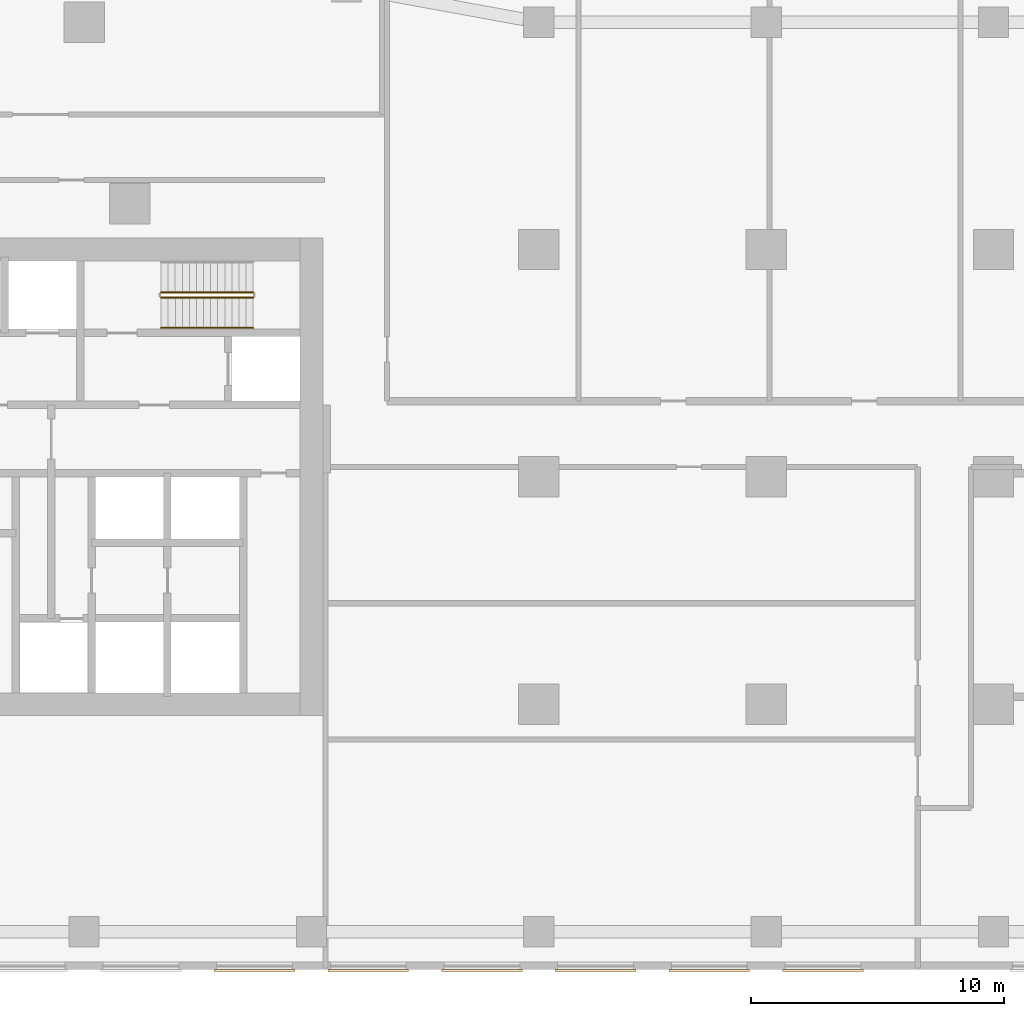
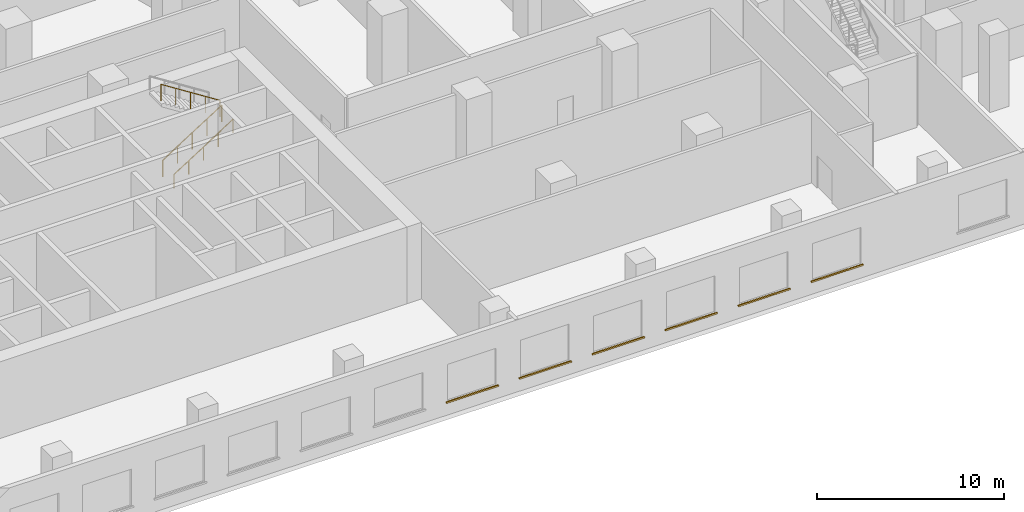
# One storey, part 25 of 35: 6 coverings, 3 railings.
"""IFC4 building model written with IfcOpenShell, lengths in metres."""

from ifc_helpers import new_model, si_unit, direction, frame, origin, origin_2d, place, context, subcontext, project, spatial, rectangle, circle, extrude, material, layer, layer_set, type_object, element, save


model = new_model("IFC4")

# Units and contexts
model_context = context("Model", 3, precision=1e-05, world=origin(), true_north=direction((0.0, 1.0)))
body_context = subcontext(model_context, "Body", "Model", "MODEL_VIEW")
ifc_project = project(units=[si_unit("LENGTHUNIT", "METRE"), si_unit("AREAUNIT", "SQUARE_METRE"), si_unit("VOLUMEUNIT", "CUBIC_METRE"), si_unit("PLANEANGLEUNIT", "RADIAN"), si_unit("MASSUNIT", "GRAM", prefix="KILO")], contexts=[model_context])

# Site, building, storey
site_placement = place(None, origin())
site = spatial("IfcSite", under=ifc_project, at=site_placement, CompositionType="ELEMENT")
building_placement = place(site_placement, origin())
building = spatial("IfcBuilding", under=site, at=building_placement, Name="Ogive Portal Towers", CompositionType="ELEMENT")
storey_placement = place(building_placement, frame((0.0, 0.0, 18.5)))
storey = spatial("IfcBuildingStorey", under=building, at=storey_placement, Name="L03", CompositionType="ELEMENT", Elevation=18.5)

# Railings
ifc_material_1 = material(Name="Stainless steel balustrade", Category="steel")
railing_type_1 = type_object("IfcRailingType", Name="INT-GUARD", PredefinedType="GUARDRAIL", material=ifc_material_1)
railing_1_placement = place(storey_placement, frame((52.550048828125, 37.60009765625, 0.178466796875)))
element("IfcRailing", 1, at=railing_1_placement, inside=storey, type_object=railing_type_1, Name="L03 ST-A2 stair guard 1", PredefinedType="GUARDRAIL", context=body_context, shape_type="SweptSolid", body=[
    extrude(circle(Radius=0.02392578125, at=origin_2d()), frame((0.0, 0.0, 1.076171875), z_axis=(0.843111507901, 0.0, 0.53773877045), x_axis=(0.0, 1.0, 0.0)), (0.0, 0.0, 1.0), 4.317138671875),
    extrude(circle(Radius=0.02099609375, at=origin_2d()), origin(), (0.0, 0.0, 1.0), 1.052001953125),
    extrude(circle(Radius=0.02099609375, at=origin_2d()), frame((0.909912109375, 0.0, 0.580322265625)), (0.0, 0.0, 1.0), 1.052001953125),
    extrude(circle(Radius=0.02099609375, at=origin_2d()), frame((1.81982421875, 0.0, 1.16064453125)), (0.0, 0.0, 1.0), 1.052001953125),
    extrude(circle(Radius=0.02099609375, at=origin_2d()), frame((2.72998046875, 0.0, 1.7412109375)), (0.0, 0.0, 1.0), 1.052001953125),
    extrude(circle(Radius=0.02099609375, at=origin_2d()), frame((3.639892578125, 0.0, 2.321533203125)), (0.0, 0.0, 1.0), 1.052001953125),
])
railing_2_placement = place(storey_placement, frame((56.18994140625, 37.800048828125, 2.678466796875)))
element("IfcRailing", 2, at=railing_2_placement, inside=storey, type_object=railing_type_1, Name="L03 ST-A2 stair guard 3", PredefinedType="GUARDRAIL", context=body_context, shape_type="SweptSolid", body=[
    extrude(circle(Radius=0.02392578125, at=origin_2d()), frame((0.0, 0.0, 1.076171875), z_axis=(-0.843111507901, 0.0, 0.53773877045), x_axis=(0.0, -1.0, 0.0)), (0.0, 0.0, 1.0), 4.317138671875),
    extrude(circle(Radius=0.02099609375, at=origin_2d()), origin(), (0.0, 0.0, 1.0), 1.052001953125),
    extrude(circle(Radius=0.02099609375, at=origin_2d()), frame((-0.909912109375, 0.0, 0.580322265625)), (0.0, 0.0, 1.0), 1.052001953125),
    extrude(circle(Radius=0.02099609375, at=origin_2d()), frame((-1.81982421875, 0.0, 1.16064453125)), (0.0, 0.0, 1.0), 1.052001953125),
    extrude(circle(Radius=0.02099609375, at=origin_2d()), frame((-2.72998046875, 0.0, 1.7412109375)), (0.0, 0.0, 1.0), 1.052001953125),
    extrude(circle(Radius=0.02099609375, at=origin_2d()), frame((-3.639892578125, 0.0, 2.321533203125)), (0.0, 0.0, 1.0), 1.052001953125),
])
ifc_material_2 = material(Name="Stainless steel handrail", Category="steel")
railing_type_2 = type_object("IfcRailingType", Name="INT-HANDRAIL", PredefinedType="HANDRAIL", material=ifc_material_2)
railing_3_placement = place(storey_placement, frame((52.550048828125, 36.39990234375, 0.178466796875)))
element("IfcRailing", 3, at=railing_3_placement, inside=storey, type_object=railing_type_2, Name="L03 ST-A2 stair handrail 1", PredefinedType="HANDRAIL", context=body_context, shape_type="SweptSolid", body=[
    extrude(circle(Radius=0.02392578125, at=origin_2d()), frame((0.0, 0.0, 0.8759765625), z_axis=(0.843111507901, 0.0, 0.53773877045), x_axis=(0.0, 1.0, 0.0)), (0.0, 0.0, 1.0), 4.317138671875),
    extrude(circle(Radius=0.02099609375, at=origin_2d()), origin(), (0.0, 0.0, 1.0), 0.851806640625),
    extrude(circle(Radius=0.02099609375, at=origin_2d()), frame((0.909912109375, 0.0, 0.580322265625)), (0.0, 0.0, 1.0), 0.851806640625),
    extrude(circle(Radius=0.02099609375, at=origin_2d()), frame((1.81982421875, 0.0, 1.16064453125)), (0.0, 0.0, 1.0), 0.851806640625),
    extrude(circle(Radius=0.02099609375, at=origin_2d()), frame((2.72998046875, 0.0, 1.7412109375)), (0.0, 0.0, 1.0), 0.851806640625),
    extrude(circle(Radius=0.02099609375, at=origin_2d()), frame((3.639892578125, 0.0, 2.321533203125)), (0.0, 0.0, 1.0), 0.851806640625),
])

# Coverings
ifc_material_3 = material(Name="Limestone cladding on lightweight block wall", Category="masonry")
ifc_layer = layer(ifc_material_3, 0.080078125)
ifc_layer_set = layer_set([ifc_layer], Name="STONE SILL 80")
covering_type = type_object("IfcCoveringType", Name="STONE SILL 80", PredefinedType="CLADDING", material=ifc_layer_set)
for number, where, z_axis, x_axis, name in (
    (4, (56.25, 10.9599609375, 0.840087890625), (0.0, 0.0, 1.0), (1.0, 0.0, 0.0), "Stone sill"),
    (5, (60.75, 10.9599609375, 0.840087890625), (0.0, 0.0, 1.0), (1.0, 0.0, 0.0), "Stone sill"),
    (6, (65.25, 10.9599609375, 0.840087890625), (0.0, 0.0, 1.0), (1.0, 0.0, 0.0), "Stone sill"),
    (7, (69.75, 10.9599609375, 0.840087890625), (0.0, 0.0, 1.0), (1.0, 0.0, 0.0), "Stone sill"),
    (8, (74.25, 10.9599609375, 0.840087890625), (0.0, 0.0, 1.0), (1.0, 0.0, 0.0), "Stone sill"),
    (9, (78.75, 10.9599609375, 0.840087890625), (0.0, 0.0, 1.0), (1.0, 0.0, 0.0), "Stone sill"),
):
    element("IfcCovering", number, at=place(storey_placement, frame(where, z_axis=z_axis, x_axis=x_axis)), inside=storey, type_object=covering_type, Name=name, PredefinedType="CLADDING", context=body_context, shape_type="SweptSolid", body=[
        extrude(rectangle(XDim=3.199951171875, YDim=0.080078125, at=origin_2d()), origin(), (0.0, 0.0, 1.0), 0.06005859375),
    ])

save(model, "model.ifc")
